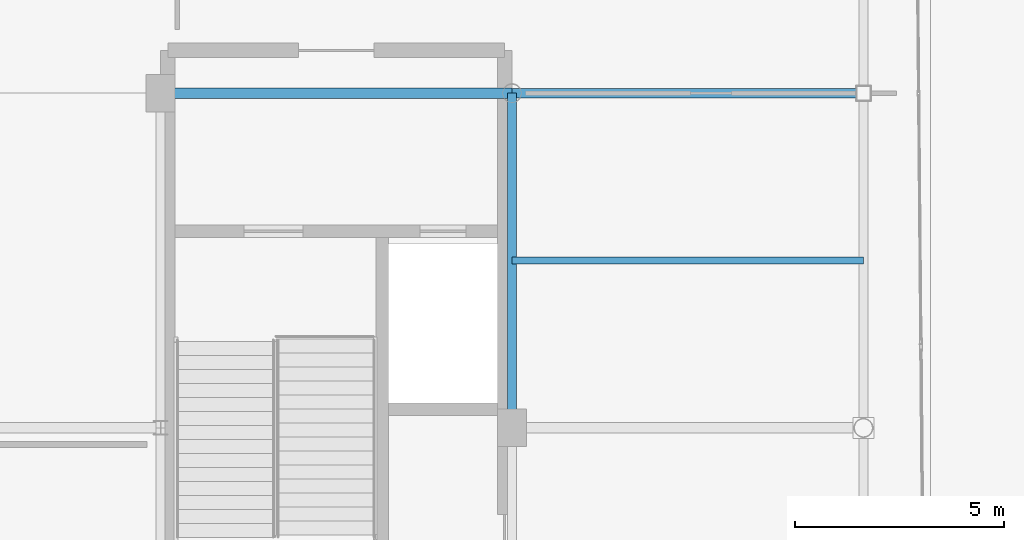
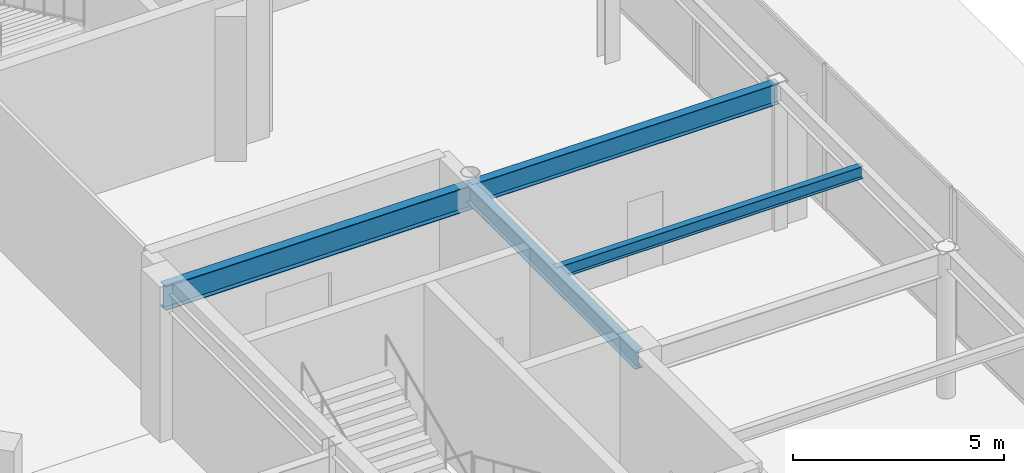
# One storey, part 46 of 107: 4 beams.
"""IFC4 building model written with IfcOpenShell, lengths in metres."""

from ifc_helpers import new_model, si_unit, direction, frame, origin, origin_2d, place, context, subcontext, project, spatial, i_section, extrude, material, material_profile, profile_set, type_object, element, save


model = new_model("IFC4")

# Units and contexts
model_context = context("Model", 3, precision=1e-05, world=origin(), true_north=direction((0.0, 1.0)))
body_context = subcontext(model_context, "Body", "Model", "MODEL_VIEW")
ifc_project = project(units=[si_unit("LENGTHUNIT", "METRE"), si_unit("AREAUNIT", "SQUARE_METRE"), si_unit("VOLUMEUNIT", "CUBIC_METRE"), si_unit("PLANEANGLEUNIT", "RADIAN"), si_unit("MASSUNIT", "GRAM", prefix="KILO")], contexts=[model_context])

# Site, building, storey
site_placement = place(None, origin())
site = spatial("IfcSite", under=ifc_project, at=site_placement, CompositionType="ELEMENT")
building_placement = place(site_placement, origin())
building = spatial("IfcBuilding", under=site, at=building_placement, Name="Kalgoora Escarpment Arena", CompositionType="ELEMENT")
storey_placement = place(building_placement, frame((0.0, 0.0, 5.39990234375)))
storey = spatial("IfcBuildingStorey", under=building, at=storey_placement, Name="L01", CompositionType="ELEMENT", Elevation=5.39990234375)

# Beams
ifc_material_1 = material(Name="Structural steel AS/NZS 3679 (300 MPa)", Category="steel")
ifc_material_profile_1 = material_profile(ifc_material_1, i_section(OverallWidth=0.208984375, OverallDepth=0.532958984375, WebThickness=0.01025390625, FlangeThickness=0.015625, at=origin_2d()))
ifc_profile_set_1 = profile_set([ifc_material_profile_1], Name="Structural steel AS/NZS 3679 (300 MPa)")
beam_type_1 = type_object("IfcBeamType", Name="BM-GIRDER-530UB92.4", PredefinedType="USERDEFINED", material=ifc_profile_set_1)
beam_1_placement = place(storey_placement, frame((168.0, 16.0, 3.93359375), z_axis=(0.0, 1.0, 0.0), x_axis=(-1.0, 0.0, 0.0)))
element("IfcBeam", 1, at=beam_1_placement, inside=storey, type_object=beam_type_1, Name="L01 Floor girder 530UB92.4", ObjectType="GIRDER", PredefinedType="USERDEFINED", context=body_context, shape_type="SweptSolid", body=[
    extrude(i_section(OverallWidth=0.208984375, OverallDepth=0.532958984375, WebThickness=0.01025390625, FlangeThickness=0.015625, at=origin_2d()), origin(), (0.0, 0.0, 1.0), 8.0),
])
ifc_material_2 = material(Name="Structural steel AS/NZS 3679 (300 MPa)", Category="steel")
ifc_material_profile_2 = material_profile(ifc_material_2, i_section(OverallWidth=0.22802734375, OverallDepth=0.60205078125, WebThickness=0.010498046875, FlangeThickness=0.014892578125, at=origin_2d()))
ifc_profile_set_2 = profile_set([ifc_material_profile_2], Name="Structural steel AS/NZS 3679 (300 MPa)")
beam_type_2 = type_object("IfcBeamType", Name="BM-GIRDER-610UB101", PredefinedType="USERDEFINED", material=ifc_profile_set_2)
beam_2_placement = place(storey_placement, frame((168.0, 24.0, 3.899169921875), z_axis=(1.0, 0.0, 0.0), x_axis=(0.0, 1.0, 0.0)))
element("IfcBeam", 2, at=beam_2_placement, inside=storey, type_object=beam_type_2, Name="L01 Floor girder 610UB101", ObjectType="GIRDER", PredefinedType="USERDEFINED", context=body_context, shape_type="SweptSolid", body=[
    extrude(i_section(OverallWidth=0.22802734375, OverallDepth=0.60205078125, WebThickness=0.010498046875, FlangeThickness=0.014892578125, at=origin_2d()), origin(), (0.0, 0.0, 1.0), 8.39990234375),
])
ifc_material_3 = material(Name="Structural steel AS/NZS 3679 (300 MPa)", Category="steel")
ifc_material_profile_3 = material_profile(ifc_material_3, i_section(OverallWidth=0.25, OverallDepth=0.699951171875, WebThickness=0.010009765625, FlangeThickness=0.02001953125, at=origin_2d()))
ifc_profile_set_3 = profile_set([ifc_material_profile_3], Name="Structural steel AS/NZS 3679 (300 MPa)")
beam_type_3 = type_object("IfcBeamType", Name="BM-GIRDER-700WB130", PredefinedType="USERDEFINED", material=ifc_profile_set_3)
beam_3_placement = place(storey_placement, frame((159.60009765625, 24.0, 3.85009765625), z_axis=(1.0, 0.0, 0.0), x_axis=(0.0, 1.0, 0.0)))
element("IfcBeam", 3, at=beam_3_placement, inside=storey, type_object=beam_type_3, Name="L01 Floor girder 700WB130", ObjectType="GIRDER", PredefinedType="USERDEFINED", context=body_context, shape_type="SweptSolid", body=[
    extrude(i_section(OverallWidth=0.25, OverallDepth=0.699951171875, WebThickness=0.010009765625, FlangeThickness=0.02001953125, at=origin_2d()), origin(), (0.0, 0.0, 1.0), 8.39990234375),
])
ifc_material_4 = material(Name="Structural steel AS/NZS 3679 (300 MPa)", Category="steel")
ifc_material_profile_4 = material_profile(ifc_material_4, i_section(OverallWidth=0.1708984375, OverallDepth=0.35205078125, WebThickness=0.0068359375, FlangeThickness=0.009765625, at=origin_2d()))
ifc_profile_set_4 = profile_set([ifc_material_profile_4], Name="Structural steel AS/NZS 3679 (300 MPa)")
beam_type_4 = type_object("IfcBeamType", Name="BM-JOIST-360UB44.7", PredefinedType="JOIST", material=ifc_profile_set_4)
beam_4_placement = place(storey_placement, frame((168.0, 20.0, 4.024169921875), z_axis=(1.0, 0.0, 0.0), x_axis=(0.0, 1.0, 0.0)))
element("IfcBeam", 4, at=beam_4_placement, inside=storey, type_object=beam_type_4, Name="L01 Secondary composite floor joist 360UB44.7", PredefinedType="JOIST", context=body_context, shape_type="SweptSolid", body=[
    extrude(i_section(OverallWidth=0.1708984375, OverallDepth=0.35205078125, WebThickness=0.0068359375, FlangeThickness=0.009765625, at=origin_2d()), origin(), (0.0, 0.0, 1.0), 8.39990234375),
])

save(model, "model.ifc")
